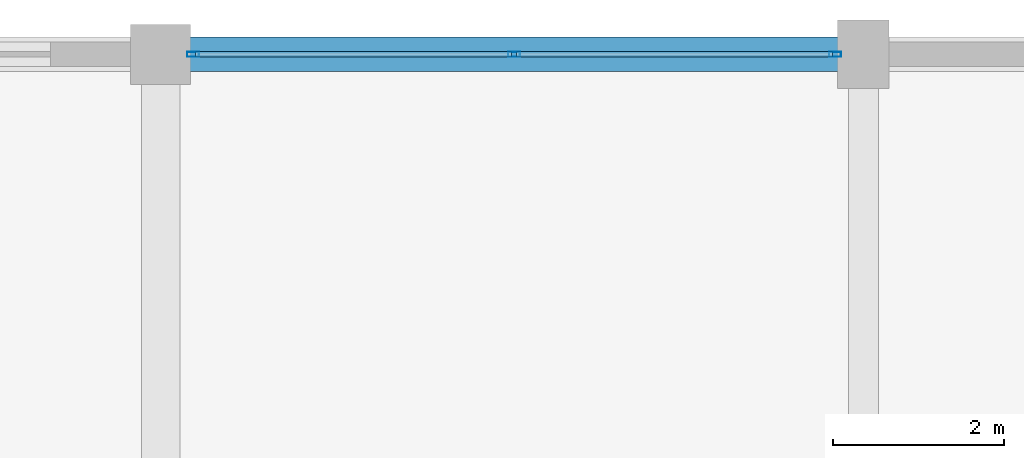
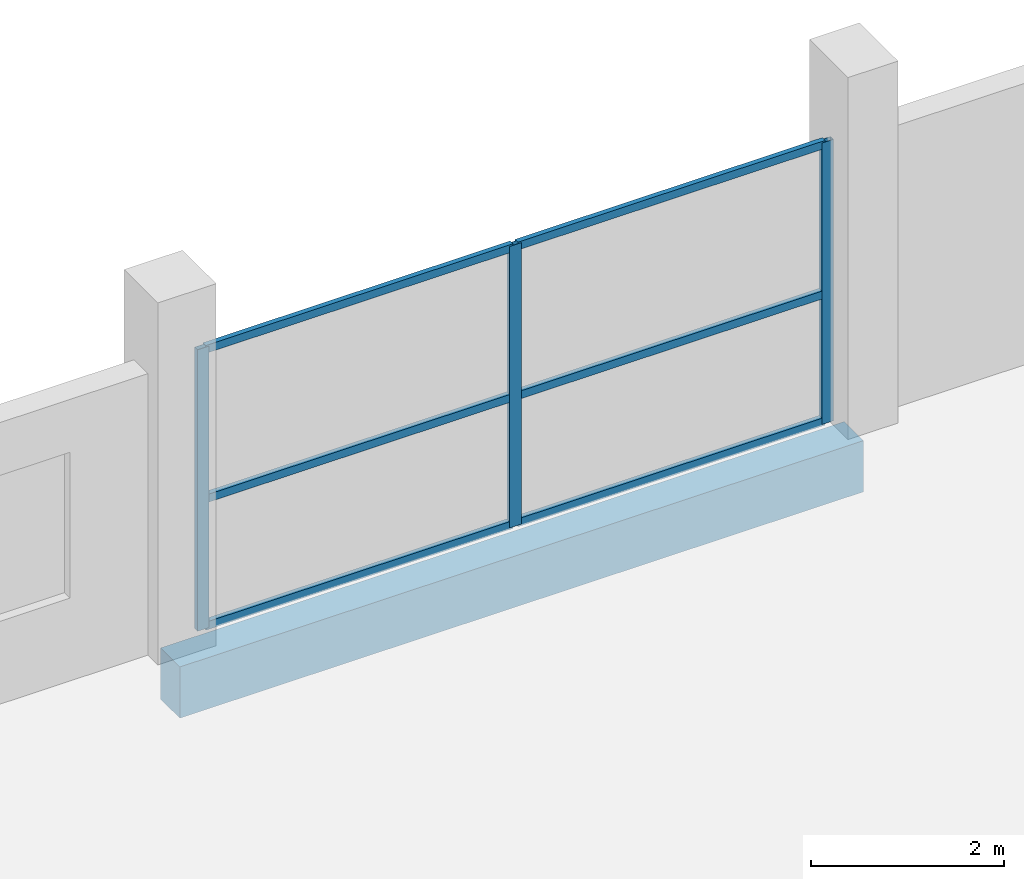
# One storey, part 30 of 49: 9 members, 1 beam, 1 element without a shape of its own.
"""IFC4 building model written with IfcOpenShell, lengths in metres."""

from ifc_helpers import new_model, si_unit, direction, frame, origin, origin_2d, place, context, subcontext, project, spatial, rectangle, hollow_rectangle, extrude, material, layer, layer_set, material_profile, profile_set, type_object, element, aggregate, save


model = new_model("IFC4")

# Units and contexts
model_context = context("Model", 3, precision=1e-05, world=origin(), true_north=direction((0.0, 1.0)))
body_context = subcontext(model_context, "Body", "Model", "MODEL_VIEW")
ifc_project = project(units=[si_unit("LENGTHUNIT", "METRE"), si_unit("AREAUNIT", "SQUARE_METRE"), si_unit("VOLUMEUNIT", "CUBIC_METRE"), si_unit("PLANEANGLEUNIT", "RADIAN"), si_unit("MASSUNIT", "GRAM", prefix="KILO")], contexts=[model_context])

# Site, building, storey
site_placement = place(None, origin())
site = spatial("IfcSite", under=ifc_project, at=site_placement, CompositionType="ELEMENT")
building_placement = place(site_placement, origin())
building = spatial("IfcBuilding", under=site, at=building_placement, Name="Sillaruma Civic Art Gallery", CompositionType="ELEMENT")
storey_placement = place(building_placement, frame((0.0, 0.0, 33.14990234375)))
storey = spatial("IfcBuildingStorey", under=building, at=storey_placement, Name="L06", CompositionType="ELEMENT", Elevation=33.14990234375)

# Beam
ifc_material_1 = material(Name="Concrete H35 (35 MPa)", Category="concrete")
ifc_material_profile_1 = material_profile(ifc_material_1, rectangle(XDim=0.39990234375, YDim=0.64990234375, at=origin_2d()), Name="RCB400x650")
ifc_profile_set_1 = profile_set([ifc_material_profile_1], Name="Concrete H35 (35 MPa)")
beam_type = type_object("IfcBeamType", Name="BM-SPANDREL-RCB400x650", PredefinedType="SPANDREL", material=ifc_profile_set_1)
beam_placement = place(storey_placement, frame((98.0, 99.0, -0.56494140625), z_axis=(1.0, 0.0, 0.0), x_axis=(0.0, 1.0, 0.0)))
element("IfcBeam", 1, at=beam_placement, inside=storey, type_object=beam_type, Name="Beam BS-02 (L05:11:L-M)", PredefinedType="SPANDREL", context=body_context, shape_type="SweptSolid", body=[
    extrude(rectangle(XDim=0.39990234375, YDim=0.64990234375, at=origin_2d()), origin(), (0.0, 0.0, 1.0), 8.199951171875),
])

# Curtain wall, members
ifc_material_2 = material(Name="Thermally Broken Extruded Aluminium 6063-T6", Category="aluminium")
ifc_layer = layer(ifc_material_2, 0.139892578125, Name="Thermally Broken Extruded Aluminium 6063-T6")
ifc_layer_set = layer_set([ifc_layer], Name="Thermally Broken Extruded Aluminium 6063-T6")
curtain_wall_type = type_object("IfcCurtainWallType", Name="CW-UNI-43", PredefinedType="NOTDEFINED", material=ifc_layer_set)
curtain_wall_placement = place(storey_placement, origin())
curtain_wall = element("IfcCurtainWall", 2, at=curtain_wall_placement, inside=storey, type_object=curtain_wall_type, Name="Unitised Curtain Wall CW-43 (CW-L06-N-6)", PredefinedType="NOTDEFINED")
ifc_material_profile_2 = material_profile(ifc_material_2, hollow_rectangle(XDim=0.06005859375, YDim=0.139892578125, WallThickness=0.00341796875, at=origin_2d()), Name="CWM60x140")
ifc_profile_set_2 = profile_set([ifc_material_profile_2], Name="Thermally Broken Extruded Aluminium 6063-T6")
member_type_1 = type_object("IfcMemberType", Name="MEM-MUL-CWM60x140", PredefinedType="MULLION", material=ifc_profile_set_2)
member_1_placement = place(storey_placement, frame((98.3798828125, 99.0, 0.0), z_axis=(0.0, 0.0, 1.0), x_axis=(0.0, 1.0, 0.0)))
member_1 = element("IfcMember", 3, at=member_1_placement, type_object=member_type_1, Name="CW-43 mullion 1", PredefinedType="MULLION", context=body_context, shape_type="SweptSolid", body=[
    extrude(hollow_rectangle(XDim=0.06005859375, YDim=0.139892578125, WallThickness=0.00341796875, at=origin_2d()), origin(), (0.0, 0.0, 1.0), 3.570068359375),
])
member_2_placement = place(storey_placement, frame((102.125, 99.0, 0.0), z_axis=(0.0, 0.0, 1.0), x_axis=(0.0, 1.0, 0.0)))
member_2 = element("IfcMember", 4, at=member_2_placement, type_object=member_type_1, Name="CW-43 mullion 2", PredefinedType="MULLION", context=body_context, shape_type="SweptSolid", body=[
    extrude(hollow_rectangle(XDim=0.06005859375, YDim=0.139892578125, WallThickness=0.00341796875, at=origin_2d()), origin(), (0.0, 0.0, 1.0), 3.570068359375),
])
member_3_placement = place(storey_placement, frame((105.8701171875, 99.0, 0.0), z_axis=(0.0, 0.0, 1.0), x_axis=(0.0, 1.0, 0.0)))
member_3 = element("IfcMember", 5, at=member_3_placement, type_object=member_type_1, Name="CW-43 mullion 3", PredefinedType="MULLION", context=body_context, shape_type="SweptSolid", body=[
    extrude(hollow_rectangle(XDim=0.06005859375, YDim=0.139892578125, WallThickness=0.00341796875, at=origin_2d()), origin(), (0.0, 0.0, 1.0), 3.570068359375),
])
ifc_material_profile_3 = material_profile(ifc_material_2, hollow_rectangle(XDim=0.06005859375, YDim=0.10009765625, WallThickness=0.003173828125, at=origin_2d()), Name="CWT60x100")
ifc_profile_set_3 = profile_set([ifc_material_profile_3], Name="Thermally Broken Extruded Aluminium 6063-T6")
member_type_2 = type_object("IfcMemberType", Name="MEM-TRN-CWT60x100", PredefinedType="USERDEFINED", material=ifc_profile_set_3)
member_4_placement = place(storey_placement, frame((98.409912109375, 99.0, 0.030029296875), z_axis=(1.0, 0.0, 0.0), x_axis=(0.0, 1.0, 0.0)))
member_4 = element("IfcMember", 6, at=member_4_placement, type_object=member_type_2, Name="CW-43 transom 1.1", ObjectType="TRANSOM", PredefinedType="USERDEFINED", context=body_context, shape_type="SweptSolid", body=[
    extrude(hollow_rectangle(XDim=0.06005859375, YDim=0.10009765625, WallThickness=0.003173828125, at=origin_2d()), origin(), (0.0, 0.0, 1.0), 3.68505859375),
])
member_5_placement = place(storey_placement, frame((98.409912109375, 99.0, 1.642333984375), z_axis=(1.0, 0.0, 0.0), x_axis=(0.0, 1.0, 0.0)))
member_5 = element("IfcMember", 7, at=member_5_placement, type_object=member_type_2, Name="CW-43 transom 1.2", ObjectType="TRANSOM", PredefinedType="USERDEFINED", context=body_context, shape_type="SweptSolid", body=[
    extrude(hollow_rectangle(XDim=0.06005859375, YDim=0.10009765625, WallThickness=0.003173828125, at=origin_2d()), origin(), (0.0, 0.0, 1.0), 3.68505859375),
])
member_6_placement = place(storey_placement, frame((98.409912109375, 99.0, 3.5400390625), z_axis=(1.0, 0.0, 0.0), x_axis=(0.0, 1.0, 0.0)))
member_6 = element("IfcMember", 8, at=member_6_placement, type_object=member_type_2, Name="CW-43 transom 1.3", ObjectType="TRANSOM", PredefinedType="USERDEFINED", context=body_context, shape_type="SweptSolid", body=[
    extrude(hollow_rectangle(XDim=0.06005859375, YDim=0.10009765625, WallThickness=0.003173828125, at=origin_2d()), origin(), (0.0, 0.0, 1.0), 3.68505859375),
])
member_7_placement = place(storey_placement, frame((102.155029296875, 99.0, 0.030029296875), z_axis=(1.0, 0.0, 0.0), x_axis=(0.0, 1.0, 0.0)))
member_7 = element("IfcMember", 9, at=member_7_placement, type_object=member_type_2, Name="CW-43 transom 2.1", ObjectType="TRANSOM", PredefinedType="USERDEFINED", context=body_context, shape_type="SweptSolid", body=[
    extrude(hollow_rectangle(XDim=0.06005859375, YDim=0.10009765625, WallThickness=0.003173828125, at=origin_2d()), origin(), (0.0, 0.0, 1.0), 3.68505859375),
])
member_8_placement = place(storey_placement, frame((102.155029296875, 99.0, 1.642333984375), z_axis=(1.0, 0.0, 0.0), x_axis=(0.0, 1.0, 0.0)))
member_8 = element("IfcMember", 10, at=member_8_placement, type_object=member_type_2, Name="CW-43 transom 2.2", ObjectType="TRANSOM", PredefinedType="USERDEFINED", context=body_context, shape_type="SweptSolid", body=[
    extrude(hollow_rectangle(XDim=0.06005859375, YDim=0.10009765625, WallThickness=0.003173828125, at=origin_2d()), origin(), (0.0, 0.0, 1.0), 3.68505859375),
])
member_9_placement = place(storey_placement, frame((102.155029296875, 99.0, 3.5400390625), z_axis=(1.0, 0.0, 0.0), x_axis=(0.0, 1.0, 0.0)))
member_9 = element("IfcMember", 11, at=member_9_placement, type_object=member_type_2, Name="CW-43 transom 2.3", ObjectType="TRANSOM", PredefinedType="USERDEFINED", context=body_context, shape_type="SweptSolid", body=[
    extrude(hollow_rectangle(XDim=0.06005859375, YDim=0.10009765625, WallThickness=0.003173828125, at=origin_2d()), origin(), (0.0, 0.0, 1.0), 3.68505859375),
])
aggregate(curtain_wall, [member_1, member_2, member_3, member_4, member_5, member_6, member_7, member_8, member_9])

save(model, "model.ifc")
